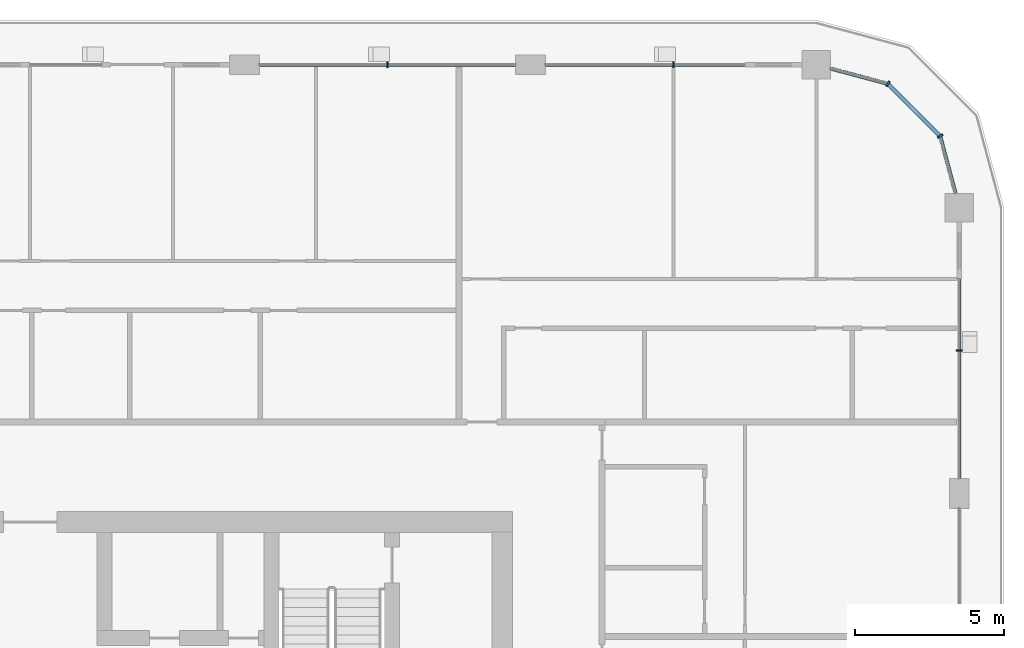
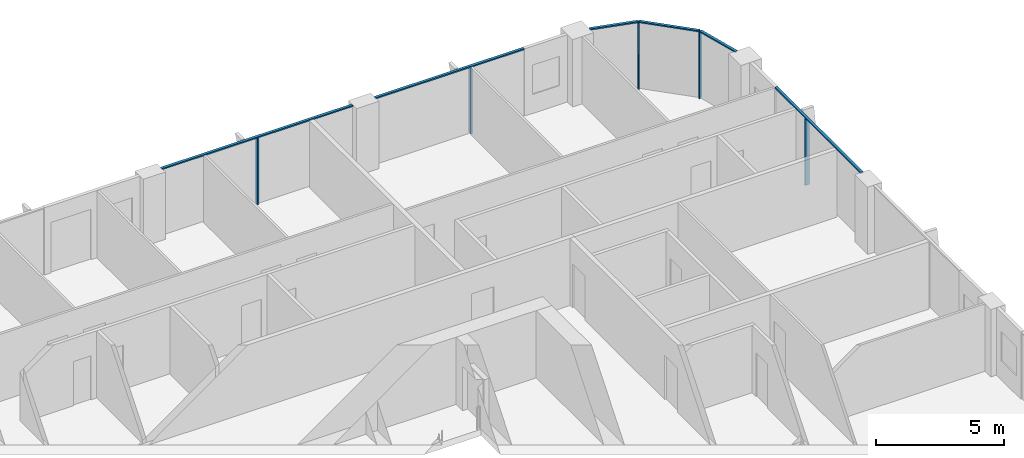
# One storey, part 6 of 23: 11 members, 4 elements without a shape of their own.
"""IFC4 building model written with IfcOpenShell, lengths in metres."""

from ifc_helpers import new_model, si_unit, direction, frame, origin, origin_2d, place, context, subcontext, project, spatial, rectangle, extrude, material, layer, layer_set, material_profile, profile_set, type_object, element, aggregate, save


model = new_model("IFC4")

# Units and contexts
model_context = context("Model", 3, precision=1e-05, world=origin(), true_north=direction((0.0, 1.0)))
body_context = subcontext(model_context, "Body", "Model", "MODEL_VIEW")
ifc_project = project(units=[si_unit("LENGTHUNIT", "METRE"), si_unit("AREAUNIT", "SQUARE_METRE"), si_unit("VOLUMEUNIT", "CUBIC_METRE"), si_unit("PLANEANGLEUNIT", "RADIAN"), si_unit("MASSUNIT", "GRAM", prefix="KILO")], contexts=[model_context])

# Site, building, storey
site_placement = place(None, origin())
site = spatial("IfcSite", under=ifc_project, at=site_placement, CompositionType="ELEMENT")
building_placement = place(site_placement, origin())
building = spatial("IfcBuilding", under=site, at=building_placement, Name="Madar Terraces", CompositionType="ELEMENT")
storey_placement = place(building_placement, frame((0.0, 0.0, 226.300048828125)))
storey = spatial("IfcBuildingStorey", under=building, at=storey_placement, Name="L59", CompositionType="ELEMENT", Elevation=226.300048828125)

# Curtain wall, member
ifc_material_1 = material(Name="Glass, ceramic frit dark grey, with black aluminium frame", Category="aluminium")
ifc_layer = layer(ifc_material_1, 0.199951171875)
ifc_layer_set = layer_set([ifc_layer], Name="Facade curtain wall, fritted glass")
curtain_wall_type = type_object("IfcCurtainWallType", Name="Facade curtain wall, fritted glass", PredefinedType="NOTDEFINED", material=ifc_layer_set)
curtain_wall_1_placement = place(storey_placement, origin())
curtain_wall_1 = element("IfcCurtainWall", 1, at=curtain_wall_1_placement, inside=storey, type_object=curtain_wall_type, Name="Outer skin curtain wall east bay 4", PredefinedType="NOTDEFINED")
ifc_material_2 = material(Name="Aluminium, black anodised", Category="aluminium")
ifc_material_profile_1 = material_profile(ifc_material_2, rectangle(XDim=0.199951171875, YDim=0.06005859375, at=origin_2d()), Name="Facade mullion 60x200")
ifc_profile_set_1 = profile_set([ifc_material_profile_1], Name="Aluminium, black anodised")
member_type_1 = type_object("IfcMemberType", Name="Facade mullion 60x200", PredefinedType="MULLION", material=ifc_profile_set_1)
member_1_placement = place(storey_placement, frame((62.39990234375, 43.199951171875, 0.0), z_axis=(0.0, 0.0, 1.0), x_axis=(-1.0, 0.0, 0.0)))
member_1 = element("IfcMember", 2, at=member_1_placement, type_object=member_type_1, Name="Mullion 1", PredefinedType="MULLION", context=body_context, shape_type="SweptSolid", body=[
    extrude(rectangle(XDim=0.199951171875, YDim=0.06005859375, at=origin_2d()), origin(), (0.0, 0.0, 1.0), 3.139892578125),
])

curtain_wall_2_placement = place(storey_placement, origin())
curtain_wall_2 = element("IfcCurtainWall", 3, at=curtain_wall_2_placement, inside=storey, type_object=curtain_wall_type, Name="Outer skin curtain wall north bay 1", PredefinedType="NOTDEFINED")
member_2_placement = place(storey_placement, frame((52.800048828125, 52.800048828125, 0.0), z_axis=(0.0, 0.0, 1.0), x_axis=(0.0, -1.0, 0.0)))
member_2 = element("IfcMember", 4, at=member_2_placement, type_object=member_type_1, Name="Mullion 1", PredefinedType="MULLION", context=body_context, shape_type="SweptSolid", body=[
    extrude(rectangle(XDim=0.199951171875, YDim=0.06005859375, at=origin_2d()), origin(), (0.0, 0.0, 1.0), 3.139892578125),
])

curtain_wall_3_placement = place(storey_placement, origin())
curtain_wall_3 = element("IfcCurtainWall", 5, at=curtain_wall_3_placement, inside=storey, type_object=curtain_wall_type, Name="Outer skin curtain wall north bay 2", PredefinedType="NOTDEFINED")
member_3_placement = place(storey_placement, frame((43.199951171875, 52.800048828125, 0.0), z_axis=(0.0, 0.0, 1.0), x_axis=(0.0, -1.0, 0.0)))
member_3 = element("IfcMember", 6, at=member_3_placement, type_object=member_type_1, Name="Mullion 1", PredefinedType="MULLION", context=body_context, shape_type="SweptSolid", body=[
    extrude(rectangle(XDim=0.199951171875, YDim=0.06005859375, at=origin_2d()), origin(), (0.0, 0.0, 1.0), 3.139892578125),
])

# Curtain wall, members
curtain_wall_4_placement = place(storey_placement, origin())
curtain_wall_4 = element("IfcCurtainWall", 7, at=curtain_wall_4_placement, inside=storey, type_object=curtain_wall_type, Name="Outer skin curtain wall north-east corner", PredefinedType="NOTDEFINED")
member_4_placement = place(storey_placement, frame((61.7568359375, 50.39990234375, 0.0), z_axis=(0.0, 0.0, 1.0), x_axis=(-0.866025409797, -0.499999989586, 0.0)))
member_4 = element("IfcMember", 8, at=member_4_placement, type_object=member_type_1, Name="Mullion 1", PredefinedType="MULLION", context=body_context, shape_type="SweptSolid", body=[
    extrude(rectangle(XDim=0.199951171875, YDim=0.06005859375, at=origin_2d()), origin(), (0.0, 0.0, 1.0), 3.139892578125),
])
member_5_placement = place(storey_placement, frame((60.0, 52.156982421875, 0.0), z_axis=(0.0, 0.0, 1.0), x_axis=(-0.499999989586, -0.866025409797, 0.0)))
member_5 = element("IfcMember", 9, at=member_5_placement, type_object=member_type_1, Name="Mullion 2", PredefinedType="MULLION", context=body_context, shape_type="SweptSolid", body=[
    extrude(rectangle(XDim=0.199951171875, YDim=0.06005859375, at=origin_2d()), origin(), (0.0, 0.0, 1.0), 3.139892578125),
])

# Member
ifc_material_3 = material(Name="Aluminium, black anodised", Category="aluminium")
ifc_material_profile_2 = material_profile(ifc_material_3, rectangle(XDim=0.1201171875, YDim=0.06005859375, at=origin_2d()), Name="Facade transom 60x120")
ifc_profile_set_2 = profile_set([ifc_material_profile_2], Name="Aluminium, black anodised")
member_type_2 = type_object("IfcMemberType", Name="Facade transom 60x120", PredefinedType="USERDEFINED", material=ifc_profile_set_2)
member_6_placement = place(storey_placement, frame((62.39990234375, 38.89990234375, 3.169921875), z_axis=(0.0, 1.0, 0.0), x_axis=(-1.0, 0.0, 0.0)))
member_6 = element("IfcMember", 10, at=member_6_placement, type_object=member_type_2, Name="Transom 1", ObjectType="TRANSOM", PredefinedType="USERDEFINED", context=body_context, shape_type="SweptSolid", body=[
    extrude(rectangle(XDim=0.1201171875, YDim=0.06005859375, at=origin_2d()), origin(), (0.0, 0.0, 1.0), 6.7001953125),
])

aggregate(curtain_wall_1, [member_1, member_6])

member_7_placement = place(storey_placement, frame((55.199951171875, 52.800048828125, 3.169921875), z_axis=(-1.0, 0.0, 0.0), x_axis=(0.0, -1.0, 0.0)))
member_7 = element("IfcMember", 11, at=member_7_placement, type_object=member_type_2, Name="Transom 1", ObjectType="TRANSOM", PredefinedType="USERDEFINED", context=body_context, shape_type="SweptSolid", body=[
    extrude(rectangle(XDim=0.1201171875, YDim=0.06005859375, at=origin_2d()), origin(), (0.0, 0.0, 1.0), 6.699951171875),
])

aggregate(curtain_wall_2, [member_2, member_7])

member_8_placement = place(storey_placement, frame((47.5, 52.800048828125, 3.169921875), z_axis=(-1.0, 0.0, 0.0), x_axis=(0.0, -1.0, 0.0)))
member_8 = element("IfcMember", 12, at=member_8_placement, type_object=member_type_2, Name="Transom 1", ObjectType="TRANSOM", PredefinedType="USERDEFINED", context=body_context, shape_type="SweptSolid", body=[
    extrude(rectangle(XDim=0.1201171875, YDim=0.06005859375, at=origin_2d()), origin(), (0.0, 0.0, 1.0), 8.60009765625),
])

aggregate(curtain_wall_3, [member_3, member_8])

member_9_placement = place(storey_placement, frame((62.272705078125, 48.47509765625, 3.169921875), z_axis=(-0.258831412352, 0.96592251241, 0.0), x_axis=(-0.96592251241, -0.258831412352, 0.0)))
member_9 = element("IfcMember", 13, at=member_9_placement, type_object=member_type_2, Name="Transom 1", ObjectType="TRANSOM", PredefinedType="USERDEFINED", context=body_context, shape_type="SweptSolid", body=[
    extrude(rectangle(XDim=0.1201171875, YDim=0.06005859375, at=origin_2d()), origin(), (0.0, 0.0, 1.0), 1.962890625),
])

member_10_placement = place(storey_placement, frame((61.735595703125, 50.421142578125, 3.169921875), z_axis=(-0.707056433593, 0.707157125196, 0.0), x_axis=(-0.707157125196, -0.707056433593, 0.0)))
member_10 = element("IfcMember", 14, at=member_10_placement, type_object=member_type_2, Name="Transom 2", ObjectType="TRANSOM", PredefinedType="USERDEFINED", context=body_context, shape_type="SweptSolid", body=[
    extrude(rectangle(XDim=0.1201171875, YDim=0.06005859375, at=origin_2d()), origin(), (0.0, 0.0, 1.0), 2.424560546875),
])

member_11_placement = place(storey_placement, frame((59.970947265625, 52.164794921875, 3.169921875), z_axis=(-0.965953602414, 0.258715360935, 0.0), x_axis=(-0.258715360935, -0.965953602414, 0.0)))
member_11 = element("IfcMember", 15, at=member_11_placement, type_object=member_type_2, Name="Transom 3", ObjectType="TRANSOM", PredefinedType="USERDEFINED", context=body_context, shape_type="SweptSolid", body=[
    extrude(rectangle(XDim=0.1201171875, YDim=0.06005859375, at=origin_2d()), origin(), (0.0, 0.0, 1.0), 1.962890625),
])

aggregate(curtain_wall_4, [member_4, member_9, member_5, member_10, member_11])

save(model, "model.ifc")
